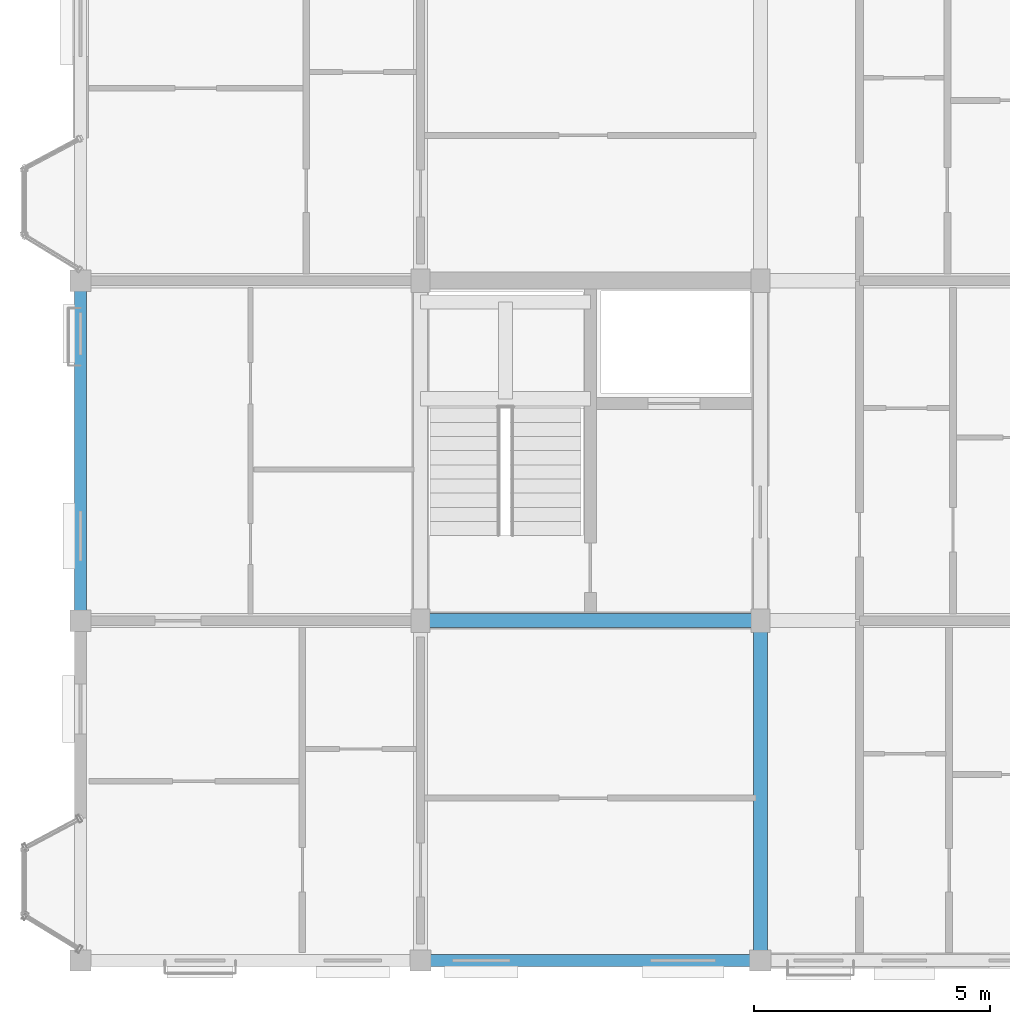
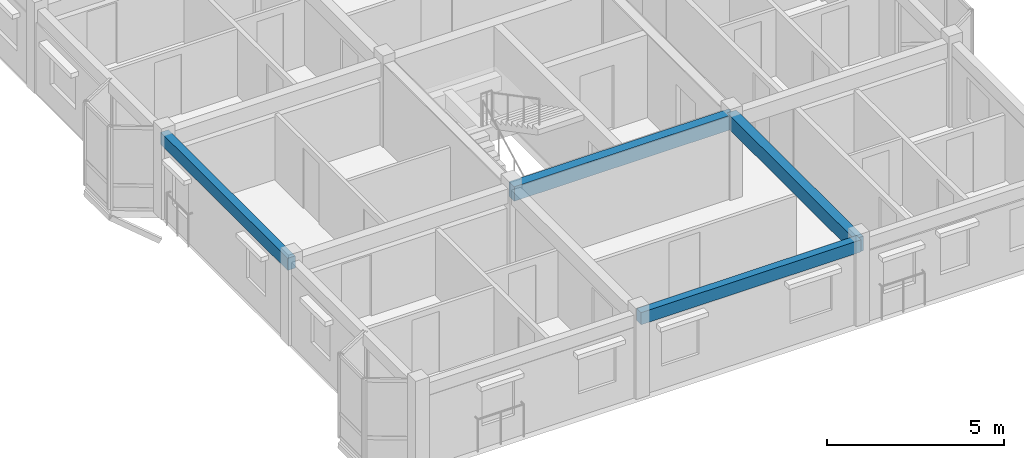
# One storey, part 4 of 28: 4 beams.
"""IFC4 building model written with IfcOpenShell, lengths in metres."""

from ifc_helpers import new_model, si_unit, direction, frame, origin, origin_2d, place, context, subcontext, project, spatial, rectangle, extrude, material, material_profile, profile_set, type_object, element, save


model = new_model("IFC4")

# Units and contexts
model_context = context("Model", 3, precision=1e-05, world=origin(), true_north=direction((0.0, 1.0)))
body_context = subcontext(model_context, "Body", "Model", "MODEL_VIEW")
ifc_project = project(units=[si_unit("LENGTHUNIT", "METRE"), si_unit("AREAUNIT", "SQUARE_METRE"), si_unit("VOLUMEUNIT", "CUBIC_METRE"), si_unit("PLANEANGLEUNIT", "RADIAN"), si_unit("MASSUNIT", "GRAM", prefix="KILO"), si_unit("THERMODYNAMICTEMPERATUREUNIT", "KELVIN"), si_unit("POWERUNIT", "WATT")], contexts=[model_context])

# Site, building, storey
site_placement = place(None, origin())
site = spatial("IfcSite", under=ifc_project, at=site_placement, CompositionType="ELEMENT")
building_placement = place(site_placement, origin())
building = spatial("IfcBuilding", under=site, at=building_placement, Name="Tavuni Mirador Residences", CompositionType="ELEMENT")
storey_placement = place(building_placement, frame((0.0, 0.0, 39.14990234375)))
storey = spatial("IfcBuildingStorey", under=building, at=storey_placement, Name="L12", CompositionType="ELEMENT", Elevation=39.14990234375)

# Beams
ifc_material = material(Name="Precast concrete C40/50", Category="concrete")
ifc_material_profile_1 = material_profile(ifc_material, rectangle(XDim=0.300048828125, YDim=0.5, at=origin_2d()), Name="PC 300x500", Category="concrete")
ifc_profile_set_1 = profile_set([ifc_material_profile_1], Name="Precast concrete C40/50")
beam_type_1 = type_object("IfcBeamType", Name="BT-B500", PredefinedType="BEAM", material=ifc_profile_set_1)
for number, where, z_axis, x_axis, name in (
    (1, (10.800048828125, 14.39990234375, 2.6201171875), (1.0, 0.0, 0.0), (0.0, 1.0, 0.0), "BMX-BLK-A-L12-01-01"),
    (2, (18.0, 7.199951171875, 2.6201171875), (0.0, 1.0, 0.0), (-1.0, 0.0, 0.0), "BMY-BLK-A-L12-02-00"),
):
    element("IfcBeam", number, at=place(storey_placement, frame(where, z_axis=z_axis, x_axis=x_axis)), inside=storey, type_object=beam_type_1, Name=name, PredefinedType="BEAM", context=body_context, shape_type="SweptSolid", body=[
        extrude(rectangle(XDim=0.300048828125, YDim=0.5, at=origin_2d()), origin(), (0.0, 0.0, 1.0), 7.199951171875),
    ])
ifc_material_profile_2 = material_profile(ifc_material, rectangle(XDim=0.25, YDim=0.419921875, at=origin_2d()), Name="PC 250x420", Category="concrete")
ifc_profile_set_2 = profile_set([ifc_material_profile_2], Name="Precast concrete C40/50")
beam_type_2 = type_object("IfcBeamType", Name="BT-SP420", PredefinedType="SPANDREL", material=ifc_profile_set_2)
beam_1_placement = place(storey_placement, frame((10.800048828125, 7.199951171875, 2.66015625), z_axis=(1.0, 0.0, 0.0), x_axis=(0.0, 1.0, 0.0)))
element("IfcBeam", 3, at=beam_1_placement, inside=storey, type_object=beam_type_2, Name="BMX-BLK-A-L12-01-00", PredefinedType="SPANDREL", context=body_context, shape_type="SweptSolid", body=[
    extrude(rectangle(XDim=0.25, YDim=0.419921875, at=origin_2d()), origin(), (0.0, 0.0, 1.0), 7.199951171875),
])
beam_2_placement = place(storey_placement, frame((3.60009765625, 14.39990234375, 2.66015625), z_axis=(0.0, 1.0, 0.0), x_axis=(-1.0, 0.0, 0.0)))
element("IfcBeam", 4, at=beam_2_placement, inside=storey, type_object=beam_type_2, Name="BMY-BLK-A-L12-00-01", PredefinedType="SPANDREL", context=body_context, shape_type="SweptSolid", body=[
    extrude(rectangle(XDim=0.25, YDim=0.419921875, at=origin_2d()), origin(), (0.0, 0.0, 1.0), 7.2001953125),
])

save(model, "model.ifc")
